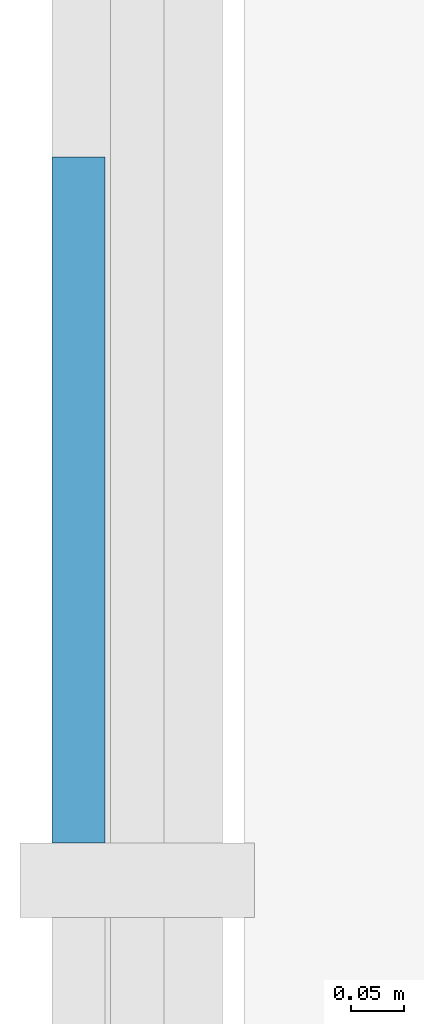
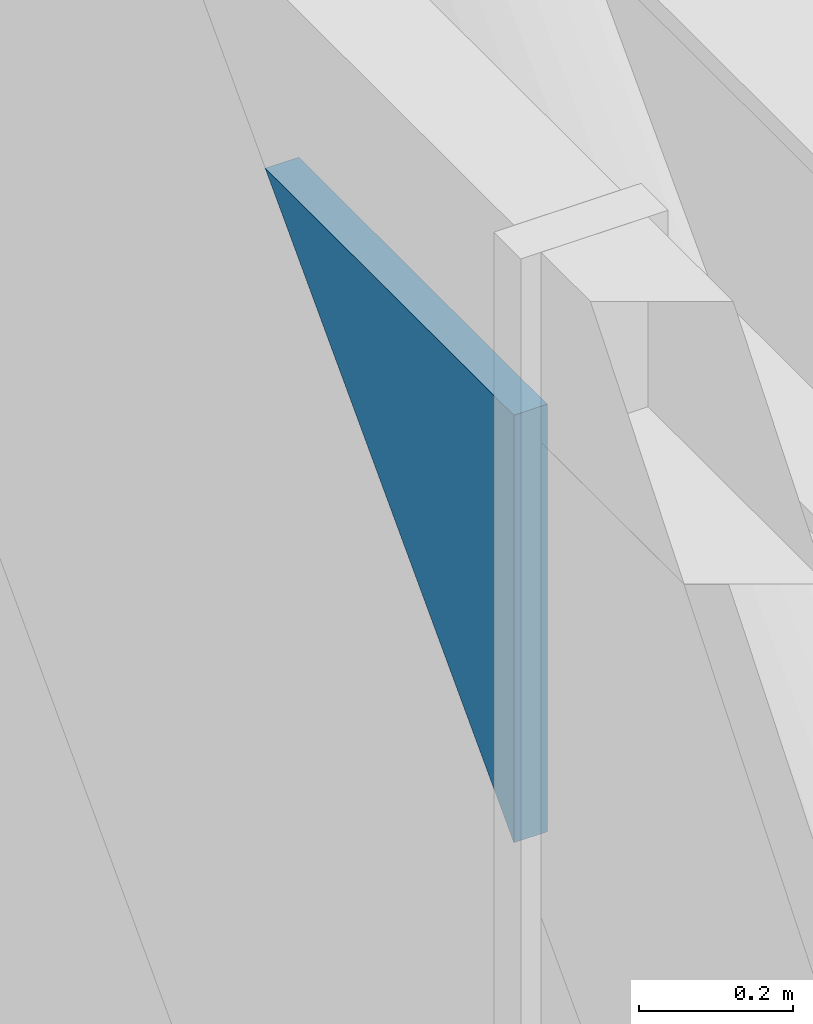
# One storey, part 11 of 17: 1 plate, 1 element without a shape of its own.
"""IFC4 building model written with IfcOpenShell, lengths in metres."""

from ifc_helpers import new_model, si_unit, direction, frame, origin, place, context, subcontext, project, spatial, polyline, outline, extrude, material, layer, layer_set, type_object, element, aggregate, save


model = new_model("IFC4")

# Units and contexts
model_context = context("Model", 3, precision=1e-05, world=origin(), true_north=direction((0.0, 1.0)))
body_context = subcontext(model_context, "Body", "Model", "MODEL_VIEW")
ifc_project = project(units=[si_unit("LENGTHUNIT", "METRE"), si_unit("AREAUNIT", "SQUARE_METRE"), si_unit("VOLUMEUNIT", "CUBIC_METRE"), si_unit("PLANEANGLEUNIT", "RADIAN"), si_unit("MASSUNIT", "GRAM", prefix="KILO")], contexts=[model_context])

# Site, building, storey
site_placement = place(None, origin())
site = spatial("IfcSite", under=ifc_project, at=site_placement, CompositionType="ELEMENT")
building_placement = place(site_placement, origin())
building = spatial("IfcBuilding", under=site, at=building_placement, Name="Rheinbord Bourse Tower", CompositionType="ELEMENT")
storey_placement = place(building_placement, frame((0.0, 0.0, 190.0)))
storey = spatial("IfcBuildingStorey", under=building, at=storey_placement, Name="L42", CompositionType="ELEMENT", Elevation=190.0)

# Curtain wall, plate
ifc_material_1 = material(Name="Dark glass and black aluminium", Category="aluminium")
curtain_wall_type = type_object("IfcCurtainWallType", Name="CW2 DARK GLASS CURTAIN WALL", PredefinedType="USERDEFINED", material=ifc_material_1)
curtain_wall_placement = place(storey_placement, origin())
curtain_wall = element("IfcCurtainWall", 1, at=curtain_wall_placement, inside=storey, type_object=curtain_wall_type, Name="Curtain wall CW2 W L42", ObjectType="UNITISED CURTAIN WALL", PredefinedType="USERDEFINED")
ifc_material_2 = material(Name="Dark tinted triple insulating glass", Category="glass")
ifc_layer = layer(ifc_material_2, 0.050048828125)
ifc_layer_set = layer_set([ifc_layer], Name="CW2 DARK GLASS PANEL")
plate_type = type_object("IfcPlateType", Name="CW2 DARK GLASS PANEL", PredefinedType="CURTAIN_PANEL", material=ifc_layer_set)
plate_placement = place(storey_placement, frame((-0.68017578125, 14.235107421875, 3.89990234375), z_axis=(1.0, 0.0, 0.0), x_axis=(0.0, 0.0, -1.0)))
plate = element("IfcPlate", 2, at=plate_placement, type_object=plate_type, Name="CW2 glass facet 2", PredefinedType="CURTAIN_PANEL", context=body_context, shape_type="SweptSolid", body=[
    extrude(outline(polyline([(0.0, 0.0), (0.67578125, 0.0), (0.0, 0.643798828125), (0.0, 0.0)])), origin(), (0.0, 0.0, 1.0), 0.050048828125),
])
aggregate(curtain_wall, [plate])

save(model, "model.ifc")
